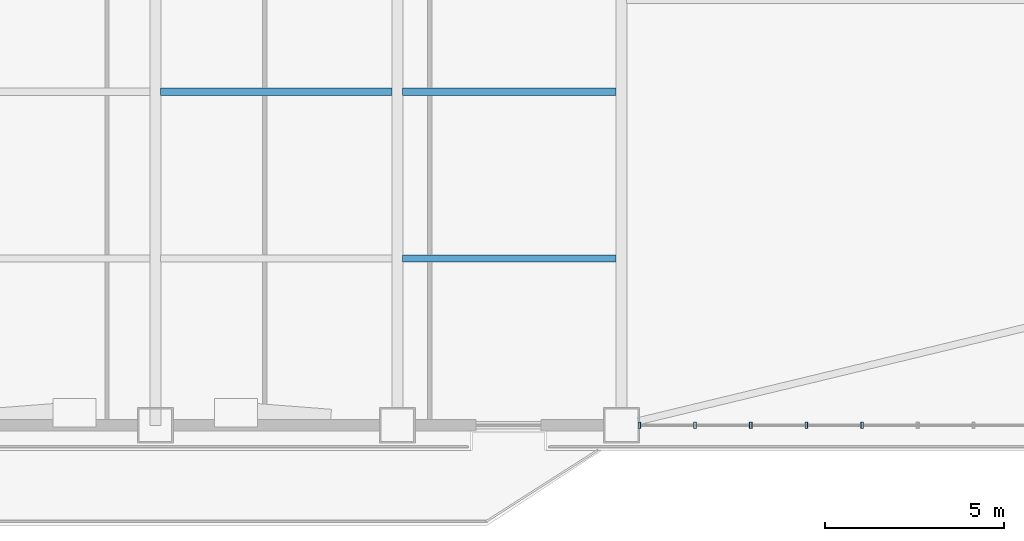
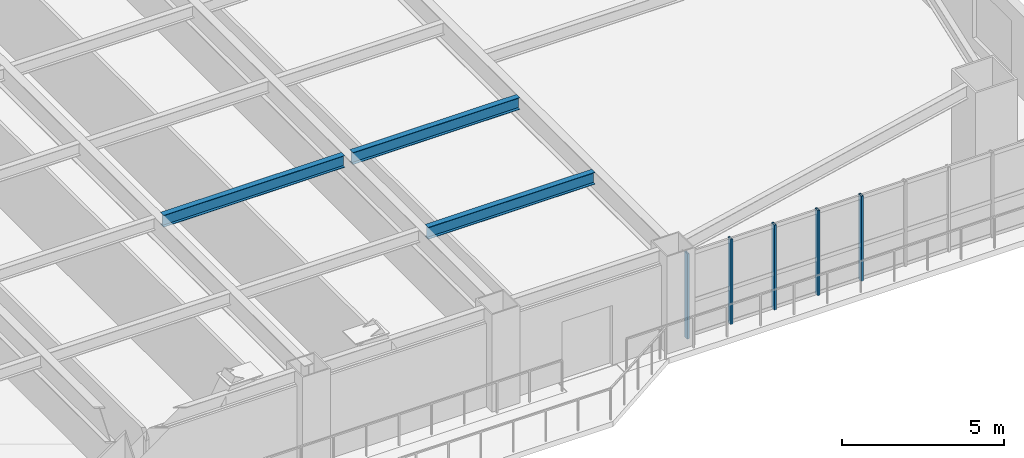
# One storey, part 6 of 18: 5 members, 3 beams, 1 element without a shape of its own.
"""IFC4 building model written with IfcOpenShell, lengths in metres."""

from ifc_helpers import new_model, si_unit, direction, frame, origin, origin_2d, place, context, subcontext, project, spatial, hollow_rectangle, i_section, extrude, source, transform, mapped, material, layer, layer_set, material_profile, profile_set, type_object, element, aggregate, save


model = new_model("IFC4")

# Units and contexts
model_context = context("Model", 3, precision=1e-05, world=origin(), true_north=direction((0.0, 1.0)))
body_context = subcontext(model_context, "Body", "Model", "MODEL_VIEW")
ifc_project = project(units=[si_unit("LENGTHUNIT", "METRE"), si_unit("AREAUNIT", "SQUARE_METRE"), si_unit("VOLUMEUNIT", "CUBIC_METRE"), si_unit("PLANEANGLEUNIT", "RADIAN"), si_unit("MASSUNIT", "GRAM", prefix="KILO")], contexts=[model_context])

# Site, building, storey
site_placement = place(None, origin())
site = spatial("IfcSite", under=ifc_project, at=site_placement, CompositionType="ELEMENT")
building_placement = place(site_placement, origin())
building = spatial("IfcBuilding", under=site, at=building_placement, Name="Giltprow Tower", CompositionType="ELEMENT")
storey_placement = place(building_placement, frame((0.0, 0.0, 65.0)))
storey = spatial("IfcBuildingStorey", under=building, at=storey_placement, Name="L16", CompositionType="ELEMENT", Elevation=65.0)

# Beams
ifc_material_1 = material(Name="Structural steel Q355B", Category="steel")
ifc_material_profile_1 = material_profile(ifc_material_1, i_section(OverallWidth=0.199951171875, OverallDepth=0.449951171875, WebThickness=0.009033203125, FlangeThickness=0.013916015625, at=origin_2d()), Name="HN 450x200x9x14")
ifc_profile_set_1 = profile_set([ifc_material_profile_1], Name="Structural steel Q355B")
beam_type = type_object("IfcBeamType", Name="BM-JOIST-HN450", PredefinedType="JOIST", material=ifc_profile_set_1)
shared_shape_1 = source(origin(), body_context, "Body", "SweptSolid", [
    extrude(i_section(OverallWidth=0.199951171875, OverallDepth=0.449951171875, WebThickness=0.009033203125, FlangeThickness=0.013916015625, at=origin_2d()), origin(), (0.0, 0.0, 1.0), 6.4599609375),
])
beam_placement = place(storey_placement, frame((37.695068359375, 14.18701171875, 3.455078125), z_axis=(1.0, 0.0, 0.0), x_axis=(0.0, 1.0, 0.0)))
element("IfcBeam", 1, at=beam_placement, inside=storey, type_object=beam_type, Name="L16 Composite Floor Joist 2-3", PredefinedType="JOIST", context=body_context, shape_type="MappedRepresentation", body=[
    mapped(shared_shape_1, transform((0.0, 0.0, 0.0), x_axis=(1.0, 0.0, 0.0), y_axis=(0.0, 1.0, 0.0), z_axis=(0.0, 0.0, 1.0), scale=1.0)),
])
shared_shape_2 = source(origin(), body_context, "Body", "SweptSolid", [
    extrude(i_section(OverallWidth=0.199951171875, OverallDepth=0.449951171875, WebThickness=0.009033203125, FlangeThickness=0.013916015625, at=origin_2d()), origin(), (0.0, 0.0, 1.0), 5.9599609375),
])
for number, where, z_axis, x_axis, name in (
    (2, (44.445068359375, 9.534912109375, 3.455078125), (1.0, 0.0, 0.0), (0.0, 1.0, 0.0), "L16 Composite Floor Joist 1-4"),
    (3, (44.445068359375, 14.18701171875, 3.455078125), (1.0, 0.0, 0.0), (0.0, 1.0, 0.0), "L16 Composite Floor Joist 2-4"),
):
    element("IfcBeam", number, at=place(storey_placement, frame(where, z_axis=z_axis, x_axis=x_axis)), inside=storey, type_object=beam_type, Name=name, PredefinedType="JOIST", context=body_context, shape_type="MappedRepresentation", body=[
        mapped(shared_shape_2, transform((0.0, 0.0, 0.0), x_axis=(1.0, 0.0, 0.0), y_axis=(0.0, 1.0, 0.0), z_axis=(0.0, 0.0, 1.0), scale=1.0)),
    ])

# Curtain wall, members
ifc_material_2 = material(Name="Anodized bronze", Category="metal")
ifc_layer = layer(ifc_material_2, 0.179931640625, Name="Anodized bronze")
ifc_layer_set = layer_set([ifc_layer], Name="Anodized bronze")
curtain_wall_type = type_object("IfcCurtainWallType", Name="CW-OFF-RECESSED", PredefinedType="NOTDEFINED", material=ifc_layer_set)
curtain_wall_placement = place(storey_placement, origin())
curtain_wall = element("IfcCurtainWall", 4, at=curtain_wall_placement, inside=storey, type_object=curtain_wall_type, Name="L16 South Recessed Curtain Wall 6", PredefinedType="NOTDEFINED")
ifc_material_profile_2 = material_profile(ifc_material_2, hollow_rectangle(XDim=0.074951171875, YDim=0.179931640625, WallThickness=0.008056640625, at=origin_2d()), Name="RHS 180x75x8")
ifc_profile_set_2 = profile_set([ifc_material_profile_2], Name="Anodized bronze")
member_type = type_object("IfcMemberType", Name="CW-MULLION-180x75", PredefinedType="MULLION", material=ifc_profile_set_2)
shared_shape_3 = source(origin(), body_context, "Body", "SweptSolid", [
    extrude(hollow_rectangle(XDim=0.074951171875, YDim=0.179931640625, WallThickness=0.008056640625, at=origin_2d()), origin(), (0.0, 0.0, 1.0), 3.215087890625),
])
member_1_placement = place(storey_placement, frame((51.050048828125, 4.882080078125, -0.02001953125), z_axis=(0.0, 0.0, 1.0), x_axis=(1.0, 0.0, 0.0)))
member_1 = element("IfcMember", 5, at=member_1_placement, type_object=member_type, Name="L16 South Recessed Curtain Wall 6 Mullion 1", PredefinedType="MULLION", context=body_context, shape_type="MappedRepresentation", body=[
    mapped(shared_shape_3, transform((0.0, 0.0, 0.0), x_axis=(1.0, 0.0, 0.0), y_axis=(0.0, 1.0, 0.0), z_axis=(0.0, 0.0, 1.0), scale=1.0)),
])
member_2_placement = place(storey_placement, frame((52.60302734375, 4.882080078125, -0.02001953125), z_axis=(0.0, 0.0, 1.0), x_axis=(1.0, 0.0, 0.0)))
member_2 = element("IfcMember", 6, at=member_2_placement, type_object=member_type, Name="L16 South Recessed Curtain Wall 6 Mullion 2", PredefinedType="MULLION", context=body_context, shape_type="MappedRepresentation", body=[
    mapped(shared_shape_3, transform((0.0, 0.0, 0.0), x_axis=(1.0, 0.0, 0.0), y_axis=(0.0, 1.0, 0.0), z_axis=(0.0, 0.0, 1.0), scale=1.0)),
])
member_3_placement = place(storey_placement, frame((54.156005859375, 4.882080078125, -0.02001953125), z_axis=(0.0, 0.0, 1.0), x_axis=(1.0, 0.0, 0.0)))
member_3 = element("IfcMember", 7, at=member_3_placement, type_object=member_type, Name="L16 South Recessed Curtain Wall 6 Mullion 3", PredefinedType="MULLION", context=body_context, shape_type="MappedRepresentation", body=[
    mapped(shared_shape_3, transform((0.0, 0.0, 0.0), x_axis=(1.0, 0.0, 0.0), y_axis=(0.0, 1.0, 0.0), z_axis=(0.0, 0.0, 1.0), scale=1.0)),
])
member_4_placement = place(storey_placement, frame((55.708984375, 4.882080078125, -0.02001953125), z_axis=(0.0, 0.0, 1.0), x_axis=(1.0, 0.0, 0.0)))
member_4 = element("IfcMember", 8, at=member_4_placement, type_object=member_type, Name="L16 South Recessed Curtain Wall 6 Mullion 4", PredefinedType="MULLION", context=body_context, shape_type="MappedRepresentation", body=[
    mapped(shared_shape_3, transform((0.0, 0.0, 0.0), x_axis=(1.0, 0.0, 0.0), y_axis=(0.0, 1.0, 0.0), z_axis=(0.0, 0.0, 1.0), scale=1.0)),
])
member_5_placement = place(storey_placement, frame((57.261962890625, 4.882080078125, -0.02001953125), z_axis=(0.0, 0.0, 1.0), x_axis=(1.0, 0.0, 0.0)))
member_5 = element("IfcMember", 9, at=member_5_placement, type_object=member_type, Name="L16 South Recessed Curtain Wall 6 Mullion 5", PredefinedType="MULLION", context=body_context, shape_type="MappedRepresentation", body=[
    mapped(shared_shape_3, transform((0.0, 0.0, 0.0), x_axis=(1.0, 0.0, 0.0), y_axis=(0.0, 1.0, 0.0), z_axis=(0.0, 0.0, 1.0), scale=1.0)),
])
aggregate(curtain_wall, [member_1, member_2, member_3, member_4, member_5])

save(model, "model.ifc")
